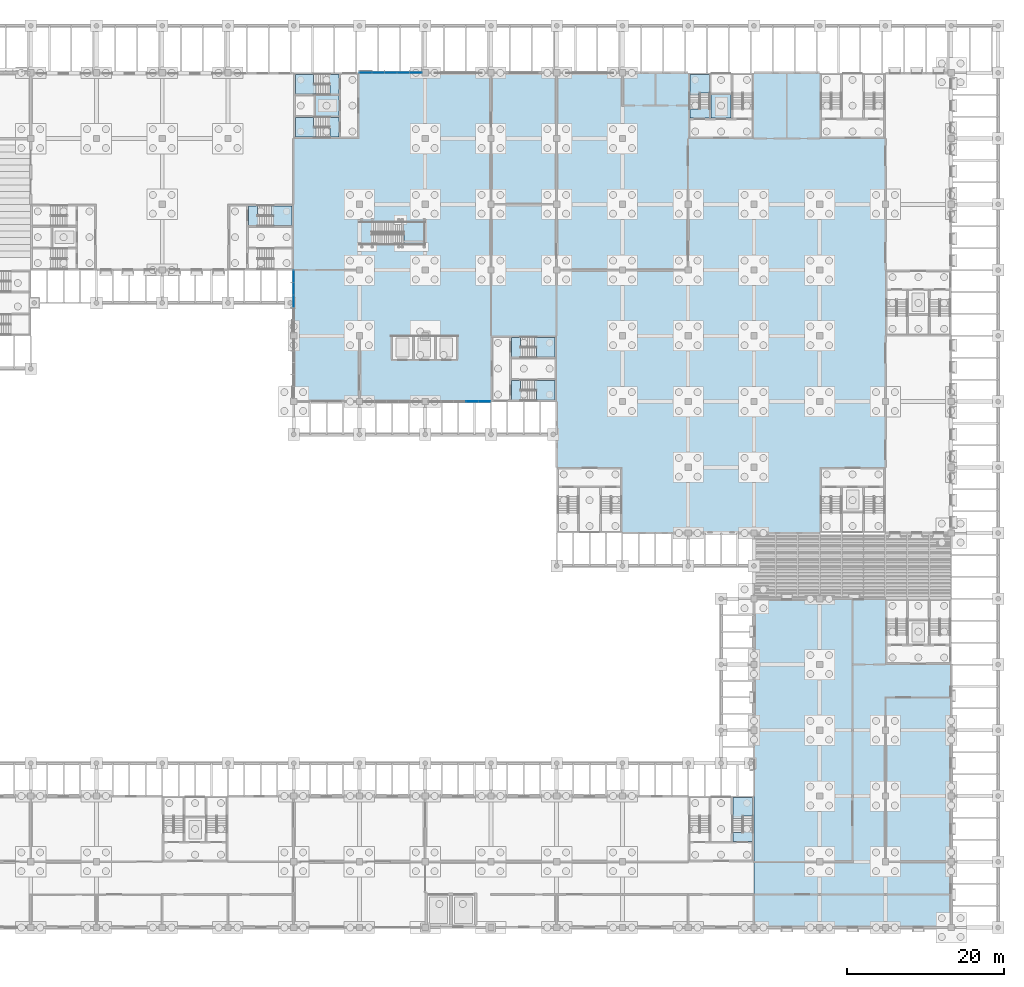
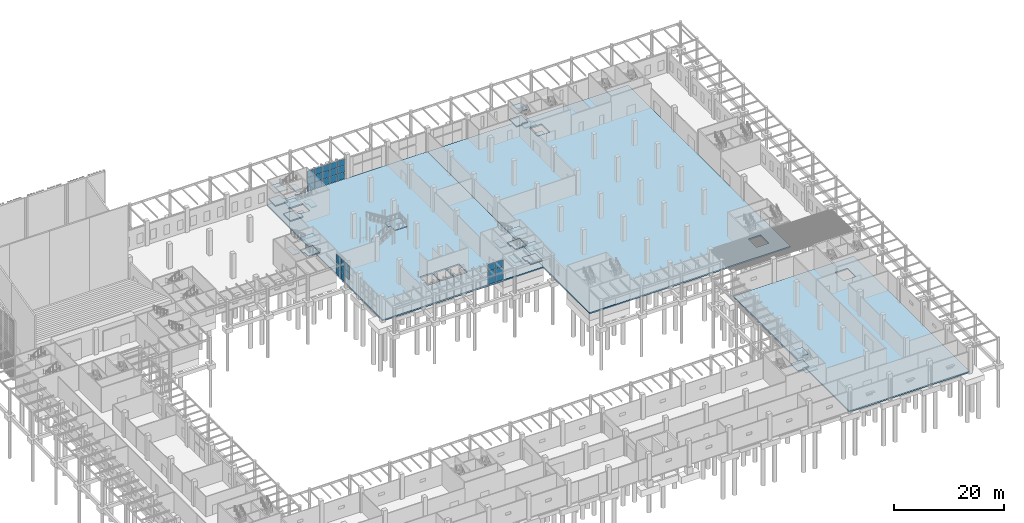
# One storey, part 23 of 82: 29 plates, 27 slabs, 11 elements without a shape of their own.
"""IFC4 building model written with IfcOpenShell, lengths in metres."""

import ifcopenshell
import ifcopenshell.guid

model = None  # the IFC model being written
_history = None  # IfcOwnerHistory: only IFC2X3 demands one
_inside = {}  # id of a spatial element -> (the spatial element, [elements in it])
_under = {}  # id of a project, library or spatial element -> (it, [spatial elements below it])
_declared = {}  # id of a project -> (the project, [libraries it declares])
_typed = {}  # id of a type object -> (the type object, [elements of that type])
_made_of = {}  # id of a material, layer set ... -> (it, [elements and type objects made of it])


def new_model(schema):
    """Start an empty IFC model of exactly this schema.

    Asked for "IFC4X3", IfcOpenShell would pick the latest addendum, in which some entities
    have other attributes; the version numbers below select the first issue.
    IFC2X3 requires an IfcOwnerHistory on every rooted entity: one is made here for all.
    """
    global model, _history
    if schema == "IFC4X3":
        model = ifcopenshell.file(schema_version=(4, 3, 0, 0))
    else:
        model = ifcopenshell.file(schema=schema)
    _inside.clear()
    _under.clear()
    _declared.clear()
    _typed.clear()
    _made_of.clear()
    _history = None
    if model.schema == "IFC2X3":
        org = make("IfcOrganization", Name="unknown")
        user = make(
            "IfcPersonAndOrganization",
            ThePerson=make("IfcPerson", FamilyName="unknown"),
            TheOrganization=org,
        )
        app = make(
            "IfcApplication",
            ApplicationDeveloper=org,
            Version="unknown",
            ApplicationFullName="unknown",
            ApplicationIdentifier="unknown",
        )
        _history = make(
            "IfcOwnerHistory",
            OwningUser=user,
            OwningApplication=app,
            ChangeAction="ADDED",
            CreationDate=0,
        )
    return model


def make(cls, **values):
    """One entity of the class cls with the attributes given. An attribute that is None is left unset."""
    return model.create_entity(
        cls, **{name: value for name, value in values.items() if value is not None}
    )


def rooted(cls, **values):
    """An entity with a GlobalId (a new one), such as an element, a storey or a relation."""
    return make(cls, GlobalId=ifcopenshell.guid.new(), OwnerHistory=_history, **values)


def si_unit(unit_type, name, prefix=None):
    """IfcSIUnit, for example si_unit("LENGTHUNIT", "METRE", prefix="MILLI")."""
    return make("IfcSIUnit", UnitType=unit_type, Prefix=prefix, Name=name)


def assignment(units):
    """IfcUnitAssignment: the units of a project."""
    return None if units is None else make("IfcUnitAssignment", Units=units)


def point(xyz):
    """IfcCartesianPoint."""
    return None if xyz is None else make("IfcCartesianPoint", Coordinates=xyz)


def direction(xyz):
    """IfcDirection."""
    return None if xyz is None else make("IfcDirection", DirectionRatios=xyz)


def frame(location, z_axis=None, x_axis=None):
    """IfcAxis2Placement3D, a coordinate frame: its origin and axes. An axis left out is left unset."""
    return make(
        "IfcAxis2Placement3D",
        Location=point(location),
        Axis=direction(z_axis),
        RefDirection=direction(x_axis),
    )


def frame_2d(location, x_axis=None):
    """IfcAxis2Placement2D, a coordinate frame in the plane: its origin and x axis."""
    return make(
        "IfcAxis2Placement2D", Location=point(location), RefDirection=direction(x_axis)
    )


def origin():
    """The frame at (0, 0, 0) with its axes left unset."""
    return frame((0.0, 0.0, 0.0))


def origin_2d():
    """The frame at (0, 0) in the plane with its x axis left unset."""
    return frame_2d((0.0, 0.0))


def place(relative_to, where):
    """IfcLocalPlacement: puts the frame where relative to a parent placement (None: the world)."""
    return make(
        "IfcLocalPlacement", PlacementRelTo=relative_to, RelativePlacement=where
    )


def context(
    kind, dimensions, precision=None, world=None, true_north=None, identifier=None
):
    """IfcGeometricRepresentationContext, for example the 3D "Model" context."""
    return make(
        "IfcGeometricRepresentationContext",
        ContextIdentifier=identifier,
        ContextType=kind,
        CoordinateSpaceDimension=dimensions,
        Precision=precision,
        WorldCoordinateSystem=world,
        TrueNorth=true_north,
    )


def subcontext(parent, identifier, kind, view, scale=None):
    """IfcGeometricRepresentationSubContext, for example "Body" below "Model"."""
    return make(
        "IfcGeometricRepresentationSubContext",
        ContextIdentifier=identifier,
        ContextType=kind,
        ParentContext=parent,
        TargetScale=scale,
        TargetView=view,
    )


def project(units=None, contexts=None):
    """IfcProject with its units and contexts."""
    return rooted(
        "IfcProject",
        Name="project",
        RepresentationContexts=contexts,
        UnitsInContext=assignment(units),
    )


def spatial(cls, under=None, at=None, **own):
    """A site, building, storey or space (cls), placed at a placement, below another one or the project."""
    s = rooted(cls, ObjectPlacement=at, **own)
    if under is not None:
        _under.setdefault(under.id(), (under, []))[1].append(s)
    return s


def polyline(points):
    """IfcPolyline through the points."""
    return make("IfcPolyline", Points=[point(p) for p in points])


def profile(cls, at=None, kind="AREA", **sizes):
    """A parametric profile (cls). Its sizes go by their IFC names, for example OverallWidth=200.0."""
    return make(cls, ProfileType=kind, Position=at, **sizes)


def rectangle(**sizes):
    """IfcRectangleProfileDef."""
    return profile("IfcRectangleProfileDef", **sizes)


def outline(outer, holes=None, kind="AREA"):
    """IfcArbitraryClosedProfileDef: a profile drawn as a closed curve; with holes, ...WithVoids."""
    if holes is None:
        return make("IfcArbitraryClosedProfileDef", ProfileType=kind, OuterCurve=outer)
    return make(
        "IfcArbitraryProfileDefWithVoids",
        ProfileType=kind,
        OuterCurve=outer,
        InnerCurves=holes,
    )


def extrude(swept, where, along, depth):
    """IfcExtrudedAreaSolid: the profile swept, set in the frame where, extruded along a direction by depth."""
    return make(
        "IfcExtrudedAreaSolid",
        SweptArea=swept,
        Position=where,
        ExtrudedDirection=direction(along),
        Depth=depth,
    )


def shape(context_of_items, identifier, shape_type, items):
    """IfcShapeRepresentation: the items that make up one representation, for example the "Body"."""
    return make(
        "IfcShapeRepresentation",
        ContextOfItems=context_of_items,
        RepresentationIdentifier=identifier,
        RepresentationType=shape_type,
        Items=items,
    )


def material(Name=None, Category=None):
    """IfcMaterial."""
    return make("IfcMaterial", Name=Name, Category=Category)


def layer(
    of_material, thickness, ventilated=None, Name=None, Category=None, Priority=None
):
    """IfcMaterialLayer: one layer of a wall or slab, of a material (None: an air gap)."""
    return make(
        "IfcMaterialLayer",
        Material=of_material,
        LayerThickness=thickness,
        IsVentilated=ventilated,
        Name=Name,
        Category=Category,
        Priority=Priority,
    )


def layer_set(layers, Name=None):
    """IfcMaterialLayerSet."""
    return make("IfcMaterialLayerSet", MaterialLayers=layers, LayerSetName=Name)


def made_of(thing, what):
    """Note that an element or type object is made of a material, layer set ...; save() writes the relation."""
    if what is not None:
        _made_of.setdefault(what.id(), (what, []))[1].append(thing)
    return thing


def type_object(cls, material=None, **own):
    """A type object (cls), such as IfcWallType, which elements share."""
    return made_of(rooted(cls, **own), material)


def element(
    cls,
    number,
    at=None,
    inside=None,
    cuts=None,
    type_object=None,
    material=None,
    context=None,
    identifier="Body",
    shape_type=None,
    held_by="IfcProductDefinitionShape",
    body=None,
    shapes=None,
    **own,
):
    """One element of the class cls, such as IfcWall. Its Tag is "e" and its number.

    at: its placement. inside: the storey or other place that contains it. cuts: it is an
    opening in that element (IfcRelVoidsElement). A single representation is given by context,
    identifier, shape_type and body (its items); several are given by shapes. held_by: the class
    of the entity that holds the representations. save() writes the other relations.
    """
    e = rooted(cls, Tag="e%d" % number, ObjectPlacement=at, **own)
    if body is not None:
        shapes = [shape(context, identifier, shape_type, body)]
    if shapes is not None:
        e.Representation = make(held_by, Representations=shapes)
    if inside is not None:
        _inside.setdefault(inside.id(), (inside, []))[1].append(e)
    if cuts is not None:
        rooted(
            "IfcRelVoidsElement", RelatingBuildingElement=cuts, RelatedOpeningElement=e
        )
    if type_object is not None:
        _typed.setdefault(type_object.id(), (type_object, []))[1].append(e)
    return made_of(e, material)


def aggregate(whole, parts):
    """IfcRelAggregates: a whole, such as a stair, and the parts it consists of."""
    return rooted("IfcRelAggregates", RelatingObject=whole, RelatedObjects=parts)


def save(model, path):
    """Write the relations noted so far, then the file.

    IfcRelAggregates (storeys below a building ...), IfcRelContainedInSpatialStructure (elements
    in a storey), IfcRelDefinesByType, IfcRelAssociatesMaterial and IfcRelDeclares: one each for
    every whole, place, type object, material and project.
    """
    for whole, parts in _under.values():
        aggregate(whole, parts)
    for where, things in _inside.values():
        rooted(
            "IfcRelContainedInSpatialStructure",
            RelatedElements=things,
            RelatingStructure=where,
        )
    for kind, things in _typed.values():
        rooted("IfcRelDefinesByType", RelatedObjects=things, RelatingType=kind)
    for what, things in _made_of.values():
        rooted("IfcRelAssociatesMaterial", RelatedObjects=things, RelatingMaterial=what)
    for by, libraries in _declared.values():
        rooted("IfcRelDeclares", RelatingContext=by, RelatedDefinitions=libraries)
    model.write(path)


model = new_model("IFC4")

# Units and contexts
model_context = context("Model", 3, precision=1e-05, world=origin(), true_north=direction((0.0, 1.0)))
body_context = subcontext(model_context, "Body", "Model", "MODEL_VIEW")
ifc_project = project(units=[si_unit("LENGTHUNIT", "METRE"), si_unit("AREAUNIT", "SQUARE_METRE"), si_unit("VOLUMEUNIT", "CUBIC_METRE"), si_unit("PLANEANGLEUNIT", "RADIAN"), si_unit("MASSUNIT", "GRAM", prefix="KILO")], contexts=[model_context])

# Site, building, storey
site_placement = place(None, origin())
site = spatial("IfcSite", under=ifc_project, at=site_placement, CompositionType="ELEMENT")
building_placement = place(site_placement, origin())
building = spatial("IfcBuilding", under=site, at=building_placement, Name="Almond Square Museum", CompositionType="ELEMENT")
storey_placement = place(building_placement, origin())
storey = spatial("IfcBuildingStorey", under=building, at=storey_placement, Name="L00", CompositionType="ELEMENT", Elevation=0.0)

# Stair, slabs
ifc_material_1 = material(Name="Concrete C40/50", Category="concrete")
stair_type_1 = type_object("IfcStairType", Name="Exit stair 32 risers of 172 mm", PredefinedType="HALF_TURN_STAIR", material=ifc_material_1)
stair_1_placement = place(storey_placement, origin())
stair_1 = element("IfcStair", 1, at=stair_1_placement, inside=storey, type_object=stair_type_1, Name="L00 stair H4-1", PredefinedType="HALF_TURN_STAIR")
ifc_material_2 = material(Name="Concrete C40/50", Category="concrete")
ifc_layer_1 = layer(ifc_material_2, 0.199951171875)
ifc_layer_set_1 = layer_set([ifc_layer_1], Name="Concrete C40/50")
slab_type_1 = type_object("IfcSlabType", Name="Concrete stair landing 200", PredefinedType="LANDING", material=ifc_layer_set_1)
slab_1_placement = place(storey_placement, frame((0.0, 0.0, 1.175048828125)))
slab_1 = element("IfcSlab", 2, at=slab_1_placement, type_object=slab_type_1, Name="ST-07 landing 1", PredefinedType="LANDING", context=body_context, shape_type="SweptSolid", body=[
    extrude(outline(polyline([(126.300048828125, 106.64697265625), (126.300048828125, 109.0), (123.800048828125, 109.0), (123.800048828125, 106.35009765625), (124.949951171875, 106.35009765625), (124.949951171875, 106.64697265625), (126.300048828125, 106.64697265625)])), origin(), (0.0, 0.0, 1.0), 0.199951171875),
])
slab_2_placement = place(storey_placement, frame((0.0, 0.0, 2.550048828125)))
slab_2 = element("IfcSlab", 3, at=slab_2_placement, type_object=slab_type_1, Name="ST-07 landing 2", PredefinedType="LANDING", context=body_context, shape_type="SweptSolid", body=[
    extrude(outline(polyline([(126.300048828125, 103.39990234375), (126.300048828125, 104.550048828125), (126.300048828125, 104.85009765625), (125.14990234375, 104.85009765625), (125.14990234375, 104.552978515625), (123.800048828125, 104.552978515625), (123.800048828125, 103.39990234375), (126.300048828125, 103.39990234375)])), origin(), (0.0, 0.0, 1.0), 0.199951171875),
])
slab_3_placement = place(storey_placement, frame((0.0, 0.0, 3.925048828125)))
slab_3 = element("IfcSlab", 4, at=slab_3_placement, type_object=slab_type_1, Name="ST-07 landing 3", PredefinedType="LANDING", context=body_context, shape_type="SweptSolid", body=[
    extrude(outline(polyline([(126.300048828125, 106.64697265625), (126.300048828125, 109.0), (123.800048828125, 109.0), (123.800048828125, 106.35009765625), (124.949951171875, 106.35009765625), (124.949951171875, 106.64697265625), (126.300048828125, 106.64697265625)])), origin(), (0.0, 0.0, 1.0), 0.199951171875),
])
aggregate(stair_1, [slab_1, slab_2, slab_3])

stair_2_placement = place(storey_placement, origin())
stair_2 = element("IfcStair", 5, at=stair_2_placement, inside=storey, type_object=stair_type_1, Name="L00 stair A1-1", PredefinedType="HALF_TURN_STAIR")
slab_4_placement = place(storey_placement, frame((0.0, 0.0, 1.175048828125)))
slab_4 = element("IfcSlab", 6, at=slab_4_placement, type_object=slab_type_1, Name="ST-09 landing 1", PredefinedType="LANDING", context=body_context, shape_type="SweptSolid", body=[
    extrude(outline(polyline([(75.7529296875, 103.5), (73.39990234375, 103.5), (73.39990234375, 101.0), (76.050048828125, 101.0), (76.050048828125, 102.14990234375), (75.7529296875, 102.14990234375), (75.7529296875, 103.5)])), origin(), (0.0, 0.0, 1.0), 0.199951171875),
])
slab_5_placement = place(storey_placement, frame((0.0, 0.0, 2.550048828125)))
slab_5 = element("IfcSlab", 7, at=slab_5_placement, type_object=slab_type_1, Name="ST-09 landing 2", PredefinedType="LANDING", context=body_context, shape_type="SweptSolid", body=[
    extrude(outline(polyline([(79.0, 103.5), (77.85009765625, 103.5), (77.550048828125, 103.5), (77.550048828125, 102.35009765625), (77.846923828125, 102.35009765625), (77.846923828125, 101.0), (79.0, 101.0), (79.0, 103.5)])), origin(), (0.0, 0.0, 1.0), 0.199951171875),
])
slab_6_placement = place(storey_placement, frame((0.0, 0.0, 3.925048828125)))
slab_6 = element("IfcSlab", 8, at=slab_6_placement, type_object=slab_type_1, Name="ST-09 landing 3", PredefinedType="LANDING", context=body_context, shape_type="SweptSolid", body=[
    extrude(outline(polyline([(75.7529296875, 103.5), (73.39990234375, 103.5), (73.39990234375, 101.0), (76.050048828125, 101.0), (76.050048828125, 102.14990234375), (75.7529296875, 102.14990234375), (75.7529296875, 103.5)])), origin(), (0.0, 0.0, 1.0), 0.199951171875),
])
aggregate(stair_2, [slab_4, slab_5, slab_6])

stair_3_placement = place(storey_placement, origin())
stair_3 = element("IfcStair", 9, at=stair_3_placement, inside=storey, type_object=stair_type_1, Name="L00 stair A1-2", PredefinedType="HALF_TURN_STAIR")
slab_7_placement = place(storey_placement, frame((0.0, 0.0, 1.175048828125)))
slab_7 = element("IfcSlab", 10, at=slab_7_placement, type_object=slab_type_1, Name="ST-10 landing 1", PredefinedType="LANDING", context=body_context, shape_type="SweptSolid", body=[
    extrude(outline(polyline([(75.7529296875, 109.0), (73.39990234375, 109.0), (73.39990234375, 106.5), (76.050048828125, 106.5), (76.050048828125, 107.64990234375), (75.7529296875, 107.64990234375), (75.7529296875, 109.0)])), origin(), (0.0, 0.0, 1.0), 0.199951171875),
])
slab_8_placement = place(storey_placement, frame((0.0, 0.0, 2.550048828125)))
slab_8 = element("IfcSlab", 11, at=slab_8_placement, type_object=slab_type_1, Name="ST-10 landing 2", PredefinedType="LANDING", context=body_context, shape_type="SweptSolid", body=[
    extrude(outline(polyline([(79.0, 109.0), (77.85009765625, 109.0), (77.550048828125, 109.0), (77.550048828125, 107.85009765625), (77.846923828125, 107.85009765625), (77.846923828125, 106.5), (79.0, 106.5), (79.0, 109.0)])), origin(), (0.0, 0.0, 1.0), 0.199951171875),
])
slab_9_placement = place(storey_placement, frame((0.0, 0.0, 3.925048828125)))
slab_9 = element("IfcSlab", 12, at=slab_9_placement, type_object=slab_type_1, Name="ST-10 landing 3", PredefinedType="LANDING", context=body_context, shape_type="SweptSolid", body=[
    extrude(outline(polyline([(75.7529296875, 109.0), (73.39990234375, 109.0), (73.39990234375, 106.5), (76.050048828125, 106.5), (76.050048828125, 107.64990234375), (75.7529296875, 107.64990234375), (75.7529296875, 109.0)])), origin(), (0.0, 0.0, 1.0), 0.199951171875),
])
aggregate(stair_3, [slab_7, slab_8, slab_9])

stair_4_placement = place(storey_placement, origin())
stair_4 = element("IfcStair", 13, at=stair_4_placement, inside=storey, type_object=stair_type_1, Name="L00 stair A2-1", PredefinedType="HALF_TURN_STAIR")
slab_10_placement = place(storey_placement, frame((0.0, 0.0, 1.175048828125)))
slab_10 = element("IfcSlab", 14, at=slab_10_placement, type_object=slab_type_1, Name="ST-11 landing 1", PredefinedType="LANDING", context=body_context, shape_type="SweptSolid", body=[
    extrude(outline(polyline([(104.2470703125, 67.39990234375), (106.60009765625, 67.39990234375), (106.60009765625, 69.89990234375), (103.949951171875, 69.89990234375), (103.949951171875, 68.75), (104.2470703125, 68.75), (104.2470703125, 67.39990234375)])), origin(), (0.0, 0.0, 1.0), 0.199951171875),
])
slab_11_placement = place(storey_placement, frame((0.0, 0.0, 2.550048828125)))
slab_11 = element("IfcSlab", 15, at=slab_11_placement, type_object=slab_type_1, Name="ST-11 landing 2", PredefinedType="LANDING", context=body_context, shape_type="SweptSolid", body=[
    extrude(outline(polyline([(101.0, 67.39990234375), (102.14990234375, 67.39990234375), (102.449951171875, 67.39990234375), (102.449951171875, 68.550048828125), (102.153076171875, 68.550048828125), (102.153076171875, 69.89990234375), (101.0, 69.89990234375), (101.0, 67.39990234375)])), origin(), (0.0, 0.0, 1.0), 0.199951171875),
])
slab_12_placement = place(storey_placement, frame((0.0, 0.0, 3.925048828125)))
slab_12 = element("IfcSlab", 16, at=slab_12_placement, type_object=slab_type_1, Name="ST-11 landing 3", PredefinedType="LANDING", context=body_context, shape_type="SweptSolid", body=[
    extrude(outline(polyline([(104.2470703125, 67.39990234375), (106.60009765625, 67.39990234375), (106.60009765625, 69.89990234375), (103.949951171875, 69.89990234375), (103.949951171875, 68.75), (104.2470703125, 68.75), (104.2470703125, 67.39990234375)])), origin(), (0.0, 0.0, 1.0), 0.199951171875),
])
aggregate(stair_4, [slab_10, slab_11, slab_12])

stair_5_placement = place(storey_placement, origin())
stair_5 = element("IfcStair", 17, at=stair_5_placement, inside=storey, type_object=stair_type_1, Name="L00 stair A2-2", PredefinedType="HALF_TURN_STAIR")
slab_13_placement = place(storey_placement, frame((0.0, 0.0, 1.175048828125)))
slab_13 = element("IfcSlab", 18, at=slab_13_placement, type_object=slab_type_1, Name="ST-12 landing 1", PredefinedType="LANDING", context=body_context, shape_type="SweptSolid", body=[
    extrude(outline(polyline([(104.2470703125, 72.89990234375), (106.60009765625, 72.89990234375), (106.60009765625, 75.39990234375), (103.949951171875, 75.39990234375), (103.949951171875, 74.25), (104.2470703125, 74.25), (104.2470703125, 72.89990234375)])), origin(), (0.0, 0.0, 1.0), 0.199951171875),
])
slab_14_placement = place(storey_placement, frame((0.0, 0.0, 2.550048828125)))
slab_14 = element("IfcSlab", 19, at=slab_14_placement, type_object=slab_type_1, Name="ST-12 landing 2", PredefinedType="LANDING", context=body_context, shape_type="SweptSolid", body=[
    extrude(outline(polyline([(101.0, 72.89990234375), (102.14990234375, 72.89990234375), (102.449951171875, 72.89990234375), (102.449951171875, 74.050048828125), (102.153076171875, 74.050048828125), (102.153076171875, 75.39990234375), (101.0, 75.39990234375), (101.0, 72.89990234375)])), origin(), (0.0, 0.0, 1.0), 0.199951171875),
])
slab_15_placement = place(storey_placement, frame((0.0, 0.0, 3.925048828125)))
slab_15 = element("IfcSlab", 20, at=slab_15_placement, type_object=slab_type_1, Name="ST-12 landing 3", PredefinedType="LANDING", context=body_context, shape_type="SweptSolid", body=[
    extrude(outline(polyline([(104.2470703125, 72.89990234375), (106.60009765625, 72.89990234375), (106.60009765625, 75.39990234375), (103.949951171875, 75.39990234375), (103.949951171875, 74.25), (104.2470703125, 74.25), (104.2470703125, 72.89990234375)])), origin(), (0.0, 0.0, 1.0), 0.199951171875),
])
aggregate(stair_5, [slab_13, slab_14, slab_15])

stair_6_placement = place(storey_placement, origin())
stair_6 = element("IfcStair", 21, at=stair_6_placement, inside=storey, type_object=stair_type_1, Name="L00 stair N2-2", PredefinedType="HALF_TURN_STAIR")
slab_16_placement = place(storey_placement, frame((0.0, 0.0, 1.175048828125)))
slab_16 = element("IfcSlab", 22, at=slab_16_placement, type_object=slab_type_1, Name="ST-20 landing 1", PredefinedType="LANDING", context=body_context, shape_type="SweptSolid", body=[
    extrude(outline(polyline([(70.64697265625, 89.699951171875), (73.0, 89.699951171875), (73.0, 92.199951171875), (70.35009765625, 92.199951171875), (70.35009765625, 91.050048828125), (70.64697265625, 91.050048828125), (70.64697265625, 89.699951171875)])), origin(), (0.0, 0.0, 1.0), 0.199951171875),
])
slab_17_placement = place(storey_placement, frame((0.0, 0.0, 2.550048828125)))
slab_17 = element("IfcSlab", 23, at=slab_17_placement, type_object=slab_type_1, Name="ST-20 landing 2", PredefinedType="LANDING", context=body_context, shape_type="SweptSolid", body=[
    extrude(outline(polyline([(67.39990234375, 89.699951171875), (68.550048828125, 89.699951171875), (68.85009765625, 89.699951171875), (68.85009765625, 90.85009765625), (68.552978515625, 90.85009765625), (68.552978515625, 92.199951171875), (67.39990234375, 92.199951171875), (67.39990234375, 89.699951171875)])), origin(), (0.0, 0.0, 1.0), 0.199951171875),
])
slab_18_placement = place(storey_placement, frame((0.0, 0.0, 3.925048828125)))
slab_18 = element("IfcSlab", 24, at=slab_18_placement, type_object=slab_type_1, Name="ST-20 landing 3", PredefinedType="LANDING", context=body_context, shape_type="SweptSolid", body=[
    extrude(outline(polyline([(70.64697265625, 89.699951171875), (73.0, 89.699951171875), (73.0, 92.199951171875), (70.35009765625, 92.199951171875), (70.35009765625, 91.050048828125), (70.64697265625, 91.050048828125), (70.64697265625, 89.699951171875)])), origin(), (0.0, 0.0, 1.0), 0.199951171875),
])
aggregate(stair_6, [slab_16, slab_17, slab_18])

stair_7_placement = place(storey_placement, origin())
stair_7 = element("IfcStair", 25, at=stair_7_placement, inside=storey, type_object=stair_type_1, Name="L00 stair S3-2", PredefinedType="HALF_TURN_STAIR")
slab_19_placement = place(storey_placement, frame((0.0, 0.0, 1.175048828125)))
slab_19 = element("IfcSlab", 26, at=slab_19_placement, type_object=slab_type_1, Name="ST-32 landing 1", PredefinedType="LANDING", context=body_context, shape_type="SweptSolid", body=[
    extrude(outline(polyline([(131.800048828125, 14.2470703125), (131.800048828125, 16.60009765625), (129.300048828125, 16.60009765625), (129.300048828125, 13.949951171875), (130.449951171875, 13.949951171875), (130.449951171875, 14.2470703125), (131.800048828125, 14.2470703125)])), origin(), (0.0, 0.0, 1.0), 0.199951171875),
])
slab_20_placement = place(storey_placement, frame((0.0, 0.0, 2.550048828125)))
slab_20 = element("IfcSlab", 27, at=slab_20_placement, type_object=slab_type_1, Name="ST-32 landing 2", PredefinedType="LANDING", context=body_context, shape_type="SweptSolid", body=[
    extrude(outline(polyline([(131.800048828125, 11.0), (131.800048828125, 12.14990234375), (131.800048828125, 12.449951171875), (130.64990234375, 12.449951171875), (130.64990234375, 12.153076171875), (129.300048828125, 12.153076171875), (129.300048828125, 11.0), (131.800048828125, 11.0)])), origin(), (0.0, 0.0, 1.0), 0.199951171875),
])
slab_21_placement = place(storey_placement, frame((0.0, 0.0, 3.925048828125)))
slab_21 = element("IfcSlab", 28, at=slab_21_placement, type_object=slab_type_1, Name="ST-32 landing 3", PredefinedType="LANDING", context=body_context, shape_type="SweptSolid", body=[
    extrude(outline(polyline([(131.800048828125, 14.2470703125), (131.800048828125, 16.60009765625), (129.300048828125, 16.60009765625), (129.300048828125, 13.949951171875), (130.449951171875, 13.949951171875), (130.449951171875, 14.2470703125), (131.800048828125, 14.2470703125)])), origin(), (0.0, 0.0, 1.0), 0.199951171875),
])
aggregate(stair_7, [slab_19, slab_20, slab_21])

# Stair, slab
ifc_material_3 = material(Name="Concrete C40/50", Category="concrete")
stair_type_2 = type_object("IfcStairType", Name="Feature stair 1400 open flights", PredefinedType="HALF_TURN_STAIR", material=ifc_material_3)
stair_8_placement = place(storey_placement, origin())
stair_8 = element("IfcStair", 29, at=stair_8_placement, inside=storey, type_object=stair_type_2, Name="L00 atrium feature stair", PredefinedType="HALF_TURN_STAIR")
ifc_material_4 = material(Name="Concrete C40/50", Category="concrete")
ifc_layer_2 = layer(ifc_material_4, 0.199951171875)
ifc_layer_set_2 = layer_set([ifc_layer_2], Name="Concrete C40/50")
slab_type_2 = type_object("IfcSlabType", Name="Feature stair landing 200", PredefinedType="LANDING", material=ifc_layer_set_2)
slab_22_placement = place(storey_placement, frame((0.0, 0.0, 2.550048828125)))
slab_22 = element("IfcSlab", 30, at=slab_22_placement, type_object=slab_type_2, Name="ST-F landing 1", PredefinedType="LANDING", context=body_context, shape_type="SweptSolid", body=[
    extrude(outline(polyline([(87.297119140625, 87.199951171875), (90.0, 87.199951171875), (90.0, 90.199951171875), (86.8349609375, 90.199951171875), (86.8349609375, 88.800048828125), (87.297119140625, 88.800048828125), (87.297119140625, 87.199951171875)])), origin(), (0.0, 0.0, 1.0), 0.199951171875),
])
aggregate(stair_8, [slab_22])

# Curtain wall, plates
ifc_material_5 = material(Name="Aluminium and laminated glass", Category="aluminium")
curtain_wall_type = type_object("IfcCurtainWallType", Name="Unitised curtain wall 1500 module", PredefinedType="NOTDEFINED", material=ifc_material_5)
curtain_wall_1_placement = place(storey_placement, origin())
curtain_wall_1 = element("IfcCurtainWall", 31, at=curtain_wall_1_placement, inside=storey, type_object=curtain_wall_type, Name="Curtain wall CW-01", PredefinedType="NOTDEFINED")
ifc_material_6 = material(Name="Laminated hurricane-rated glass", Category="glass")
ifc_layer_3 = layer(ifc_material_6, 0.035888671875)
ifc_layer_set_3 = layer_set([ifc_layer_3], Name="Laminated hurricane-rated glass")
plate_type = type_object("IfcPlateType", Name="Laminated glass panel 36", PredefinedType="CURTAIN_PANEL", material=ifc_layer_set_3)
plate_1_placement = place(storey_placement, frame((73.199951171875, 80.0, 1.54638671875), z_axis=(0.0, 0.0, 1.0), x_axis=(0.0, 1.0, 0.0)))
plate_1 = element("IfcPlate", 32, at=plate_1_placement, type_object=plate_type, Name="CW-01 panel 3.2", PredefinedType="CURTAIN_PANEL", context=body_context, shape_type="SweptSolid", body=[
    extrude(rectangle(XDim=1.5400390625, YDim=0.035888671875, at=origin_2d()), origin(), (0.0, 0.0, 1.0), 1.456787109375),
])
plate_2_placement = place(storey_placement, frame((73.199951171875, 80.0, 3.063232421875), z_axis=(0.0, 0.0, 1.0), x_axis=(0.0, 1.0, 0.0)))
plate_2 = element("IfcPlate", 33, at=plate_2_placement, type_object=plate_type, Name="CW-01 panel 3.3", PredefinedType="CURTAIN_PANEL", context=body_context, shape_type="SweptSolid", body=[
    extrude(rectangle(XDim=1.5400390625, YDim=0.035888671875, at=origin_2d()), origin(), (0.0, 0.0, 1.0), 1.4267578125),
])
plate_3_placement = place(storey_placement, frame((73.199951171875, 81.60009765625, 0.06005859375), z_axis=(0.0, 0.0, 1.0), x_axis=(0.0, 1.0, 0.0)))
plate_3 = element("IfcPlate", 34, at=plate_3_placement, type_object=plate_type, Name="CW-01 panel 4.1", PredefinedType="CURTAIN_PANEL", context=body_context, shape_type="SweptSolid", body=[
    extrude(rectangle(XDim=1.5400390625, YDim=0.035888671875, at=origin_2d()), origin(), (0.0, 0.0, 1.0), 1.4267578125),
])
plate_4_placement = place(storey_placement, frame((73.199951171875, 81.60009765625, 1.54638671875), z_axis=(0.0, 0.0, 1.0), x_axis=(0.0, 1.0, 0.0)))
plate_4 = element("IfcPlate", 35, at=plate_4_placement, type_object=plate_type, Name="CW-01 panel 4.2", PredefinedType="CURTAIN_PANEL", context=body_context, shape_type="SweptSolid", body=[
    extrude(rectangle(XDim=1.5400390625, YDim=0.035888671875, at=origin_2d()), origin(), (0.0, 0.0, 1.0), 1.456787109375),
])
plate_5_placement = place(storey_placement, frame((73.199951171875, 81.60009765625, 3.063232421875), z_axis=(0.0, 0.0, 1.0), x_axis=(0.0, 1.0, 0.0)))
plate_5 = element("IfcPlate", 36, at=plate_5_placement, type_object=plate_type, Name="CW-01 panel 4.3", PredefinedType="CURTAIN_PANEL", context=body_context, shape_type="SweptSolid", body=[
    extrude(rectangle(XDim=1.5400390625, YDim=0.035888671875, at=origin_2d()), origin(), (0.0, 0.0, 1.0), 1.4267578125),
])
plate_6_placement = place(storey_placement, frame((73.199951171875, 83.18505859375, 0.06005859375), z_axis=(0.0, 0.0, 1.0), x_axis=(0.0, 1.0, 0.0)))
plate_6 = element("IfcPlate", 37, at=plate_6_placement, type_object=plate_type, Name="CW-01 panel 5.1", PredefinedType="CURTAIN_PANEL", context=body_context, shape_type="SweptSolid", body=[
    extrude(rectangle(XDim=1.510009765625, YDim=0.035888671875, at=origin_2d()), origin(), (0.0, 0.0, 1.0), 1.4267578125),
])
plate_7_placement = place(storey_placement, frame((73.199951171875, 83.18505859375, 1.54638671875), z_axis=(0.0, 0.0, 1.0), x_axis=(0.0, 1.0, 0.0)))
plate_7 = element("IfcPlate", 38, at=plate_7_placement, type_object=plate_type, Name="CW-01 panel 5.2", PredefinedType="CURTAIN_PANEL", context=body_context, shape_type="SweptSolid", body=[
    extrude(rectangle(XDim=1.510009765625, YDim=0.035888671875, at=origin_2d()), origin(), (0.0, 0.0, 1.0), 1.456787109375),
])
plate_8_placement = place(storey_placement, frame((73.199951171875, 83.18505859375, 3.063232421875), z_axis=(0.0, 0.0, 1.0), x_axis=(0.0, 1.0, 0.0)))
plate_8 = element("IfcPlate", 39, at=plate_8_placement, type_object=plate_type, Name="CW-01 panel 5.3", PredefinedType="CURTAIN_PANEL", context=body_context, shape_type="SweptSolid", body=[
    extrude(rectangle(XDim=1.510009765625, YDim=0.035888671875, at=origin_2d()), origin(), (0.0, 0.0, 1.0), 1.4267578125),
])
aggregate(curtain_wall_1, [plate_1, plate_2, plate_3, plate_4, plate_5, plate_6, plate_7, plate_8])

curtain_wall_2_placement = place(storey_placement, origin())
curtain_wall_2 = element("IfcCurtainWall", 40, at=curtain_wall_2_placement, inside=storey, type_object=curtain_wall_type, Name="Curtain wall CW-04", PredefinedType="NOTDEFINED")
plate_9_placement = place(storey_placement, frame((96.0, 67.199951171875, 0.06005859375), z_axis=(0.0, 0.0, 1.0), x_axis=(1.0, 0.0, 0.0)))
plate_9 = element("IfcPlate", 41, at=plate_9_placement, type_object=plate_type, Name="CW-04 panel 4.1", PredefinedType="CURTAIN_PANEL", context=body_context, shape_type="SweptSolid", body=[
    extrude(rectangle(XDim=1.5400390625, YDim=0.035888671875, at=origin_2d()), origin(), (0.0, 0.0, 1.0), 1.4267578125),
])
plate_10_placement = place(storey_placement, frame((96.0, 67.199951171875, 1.54638671875), z_axis=(0.0, 0.0, 1.0), x_axis=(1.0, 0.0, 0.0)))
plate_10 = element("IfcPlate", 42, at=plate_10_placement, type_object=plate_type, Name="CW-04 panel 4.2", PredefinedType="CURTAIN_PANEL", context=body_context, shape_type="SweptSolid", body=[
    extrude(rectangle(XDim=1.5400390625, YDim=0.035888671875, at=origin_2d()), origin(), (0.0, 0.0, 1.0), 1.456787109375),
])
plate_11_placement = place(storey_placement, frame((96.0, 67.199951171875, 3.063232421875), z_axis=(0.0, 0.0, 1.0), x_axis=(1.0, 0.0, 0.0)))
plate_11 = element("IfcPlate", 43, at=plate_11_placement, type_object=plate_type, Name="CW-04 panel 4.3", PredefinedType="CURTAIN_PANEL", context=body_context, shape_type="SweptSolid", body=[
    extrude(rectangle(XDim=1.5400390625, YDim=0.035888671875, at=origin_2d()), origin(), (0.0, 0.0, 1.0), 1.4267578125),
])
plate_12_placement = place(storey_placement, frame((97.5849609375, 67.199951171875, 0.06005859375), z_axis=(0.0, 0.0, 1.0), x_axis=(1.0, 0.0, 0.0)))
plate_12 = element("IfcPlate", 44, at=plate_12_placement, type_object=plate_type, Name="CW-04 panel 5.1", PredefinedType="CURTAIN_PANEL", context=body_context, shape_type="SweptSolid", body=[
    extrude(rectangle(XDim=1.510009765625, YDim=0.035888671875, at=origin_2d()), origin(), (0.0, 0.0, 1.0), 1.4267578125),
])
plate_13_placement = place(storey_placement, frame((97.5849609375, 67.199951171875, 1.54638671875), z_axis=(0.0, 0.0, 1.0), x_axis=(1.0, 0.0, 0.0)))
plate_13 = element("IfcPlate", 45, at=plate_13_placement, type_object=plate_type, Name="CW-04 panel 5.2", PredefinedType="CURTAIN_PANEL", context=body_context, shape_type="SweptSolid", body=[
    extrude(rectangle(XDim=1.510009765625, YDim=0.035888671875, at=origin_2d()), origin(), (0.0, 0.0, 1.0), 1.456787109375),
])
plate_14_placement = place(storey_placement, frame((97.5849609375, 67.199951171875, 3.063232421875), z_axis=(0.0, 0.0, 1.0), x_axis=(1.0, 0.0, 0.0)))
plate_14 = element("IfcPlate", 46, at=plate_14_placement, type_object=plate_type, Name="CW-04 panel 5.3", PredefinedType="CURTAIN_PANEL", context=body_context, shape_type="SweptSolid", body=[
    extrude(rectangle(XDim=1.510009765625, YDim=0.035888671875, at=origin_2d()), origin(), (0.0, 0.0, 1.0), 1.4267578125),
])
aggregate(curtain_wall_2, [plate_9, plate_10, plate_11, plate_12, plate_13, plate_14])

curtain_wall_3_placement = place(storey_placement, origin())
curtain_wall_3 = element("IfcCurtainWall", 47, at=curtain_wall_3_placement, inside=storey, type_object=curtain_wall_type, Name="Curtain wall CW-05", PredefinedType="NOTDEFINED")
plate_15_placement = place(storey_placement, frame((82.4150390625, 109.199951171875, 0.06005859375), z_axis=(0.0, 0.0, 1.0), x_axis=(1.0, 0.0, 0.0)))
plate_15 = element("IfcPlate", 48, at=plate_15_placement, type_object=plate_type, Name="CW-05 panel 1.1", PredefinedType="CURTAIN_PANEL", context=body_context, shape_type="SweptSolid", body=[
    extrude(rectangle(XDim=1.510009765625, YDim=0.035888671875, at=origin_2d()), origin(), (0.0, 0.0, 1.0), 1.4267578125),
])
plate_16_placement = place(storey_placement, frame((82.4150390625, 109.199951171875, 1.54638671875), z_axis=(0.0, 0.0, 1.0), x_axis=(1.0, 0.0, 0.0)))
plate_16 = element("IfcPlate", 49, at=plate_16_placement, type_object=plate_type, Name="CW-05 panel 1.2", PredefinedType="CURTAIN_PANEL", context=body_context, shape_type="SweptSolid", body=[
    extrude(rectangle(XDim=1.510009765625, YDim=0.035888671875, at=origin_2d()), origin(), (0.0, 0.0, 1.0), 1.456787109375),
])
plate_17_placement = place(storey_placement, frame((82.4150390625, 109.199951171875, 3.063232421875), z_axis=(0.0, 0.0, 1.0), x_axis=(1.0, 0.0, 0.0)))
plate_17 = element("IfcPlate", 50, at=plate_17_placement, type_object=plate_type, Name="CW-05 panel 1.3", PredefinedType="CURTAIN_PANEL", context=body_context, shape_type="SweptSolid", body=[
    extrude(rectangle(XDim=1.510009765625, YDim=0.035888671875, at=origin_2d()), origin(), (0.0, 0.0, 1.0), 1.4267578125),
])
plate_18_placement = place(storey_placement, frame((84.0, 109.199951171875, 0.06005859375), z_axis=(0.0, 0.0, 1.0), x_axis=(1.0, 0.0, 0.0)))
plate_18 = element("IfcPlate", 51, at=plate_18_placement, type_object=plate_type, Name="CW-05 panel 2.1", PredefinedType="CURTAIN_PANEL", context=body_context, shape_type="SweptSolid", body=[
    extrude(rectangle(XDim=1.5400390625, YDim=0.035888671875, at=origin_2d()), origin(), (0.0, 0.0, 1.0), 1.4267578125),
])
plate_19_placement = place(storey_placement, frame((84.0, 109.199951171875, 1.54638671875), z_axis=(0.0, 0.0, 1.0), x_axis=(1.0, 0.0, 0.0)))
plate_19 = element("IfcPlate", 52, at=plate_19_placement, type_object=plate_type, Name="CW-05 panel 2.2", PredefinedType="CURTAIN_PANEL", context=body_context, shape_type="SweptSolid", body=[
    extrude(rectangle(XDim=1.5400390625, YDim=0.035888671875, at=origin_2d()), origin(), (0.0, 0.0, 1.0), 1.456787109375),
])
plate_20_placement = place(storey_placement, frame((84.0, 109.199951171875, 3.063232421875), z_axis=(0.0, 0.0, 1.0), x_axis=(1.0, 0.0, 0.0)))
plate_20 = element("IfcPlate", 53, at=plate_20_placement, type_object=plate_type, Name="CW-05 panel 2.3", PredefinedType="CURTAIN_PANEL", context=body_context, shape_type="SweptSolid", body=[
    extrude(rectangle(XDim=1.5400390625, YDim=0.035888671875, at=origin_2d()), origin(), (0.0, 0.0, 1.0), 1.4267578125),
])
plate_21_placement = place(storey_placement, frame((85.60009765625, 109.199951171875, 0.06005859375), z_axis=(0.0, 0.0, 1.0), x_axis=(1.0, 0.0, 0.0)))
plate_21 = element("IfcPlate", 54, at=plate_21_placement, type_object=plate_type, Name="CW-05 panel 3.1", PredefinedType="CURTAIN_PANEL", context=body_context, shape_type="SweptSolid", body=[
    extrude(rectangle(XDim=1.5400390625, YDim=0.035888671875, at=origin_2d()), origin(), (0.0, 0.0, 1.0), 1.4267578125),
])
plate_22_placement = place(storey_placement, frame((85.60009765625, 109.199951171875, 1.54638671875), z_axis=(0.0, 0.0, 1.0), x_axis=(1.0, 0.0, 0.0)))
plate_22 = element("IfcPlate", 55, at=plate_22_placement, type_object=plate_type, Name="CW-05 panel 3.2", PredefinedType="CURTAIN_PANEL", context=body_context, shape_type="SweptSolid", body=[
    extrude(rectangle(XDim=1.5400390625, YDim=0.035888671875, at=origin_2d()), origin(), (0.0, 0.0, 1.0), 1.456787109375),
])
plate_23_placement = place(storey_placement, frame((85.60009765625, 109.199951171875, 3.063232421875), z_axis=(0.0, 0.0, 1.0), x_axis=(1.0, 0.0, 0.0)))
plate_23 = element("IfcPlate", 56, at=plate_23_placement, type_object=plate_type, Name="CW-05 panel 3.3", PredefinedType="CURTAIN_PANEL", context=body_context, shape_type="SweptSolid", body=[
    extrude(rectangle(XDim=1.5400390625, YDim=0.035888671875, at=origin_2d()), origin(), (0.0, 0.0, 1.0), 1.4267578125),
])
plate_24_placement = place(storey_placement, frame((87.199951171875, 109.199951171875, 0.06005859375), z_axis=(0.0, 0.0, 1.0), x_axis=(1.0, 0.0, 0.0)))
plate_24 = element("IfcPlate", 57, at=plate_24_placement, type_object=plate_type, Name="CW-05 panel 4.1", PredefinedType="CURTAIN_PANEL", context=body_context, shape_type="SweptSolid", body=[
    extrude(rectangle(XDim=1.5400390625, YDim=0.035888671875, at=origin_2d()), origin(), (0.0, 0.0, 1.0), 1.4267578125),
])
plate_25_placement = place(storey_placement, frame((87.199951171875, 109.199951171875, 1.54638671875), z_axis=(0.0, 0.0, 1.0), x_axis=(1.0, 0.0, 0.0)))
plate_25 = element("IfcPlate", 58, at=plate_25_placement, type_object=plate_type, Name="CW-05 panel 4.2", PredefinedType="CURTAIN_PANEL", context=body_context, shape_type="SweptSolid", body=[
    extrude(rectangle(XDim=1.5400390625, YDim=0.035888671875, at=origin_2d()), origin(), (0.0, 0.0, 1.0), 1.456787109375),
])
plate_26_placement = place(storey_placement, frame((87.199951171875, 109.199951171875, 3.063232421875), z_axis=(0.0, 0.0, 1.0), x_axis=(1.0, 0.0, 0.0)))
plate_26 = element("IfcPlate", 59, at=plate_26_placement, type_object=plate_type, Name="CW-05 panel 4.3", PredefinedType="CURTAIN_PANEL", context=body_context, shape_type="SweptSolid", body=[
    extrude(rectangle(XDim=1.5400390625, YDim=0.035888671875, at=origin_2d()), origin(), (0.0, 0.0, 1.0), 1.4267578125),
])
plate_27_placement = place(storey_placement, frame((88.784912109375, 109.199951171875, 0.06005859375), z_axis=(0.0, 0.0, 1.0), x_axis=(1.0, 0.0, 0.0)))
plate_27 = element("IfcPlate", 60, at=plate_27_placement, type_object=plate_type, Name="CW-05 panel 5.1", PredefinedType="CURTAIN_PANEL", context=body_context, shape_type="SweptSolid", body=[
    extrude(rectangle(XDim=1.510009765625, YDim=0.035888671875, at=origin_2d()), origin(), (0.0, 0.0, 1.0), 1.4267578125),
])
plate_28_placement = place(storey_placement, frame((88.784912109375, 109.199951171875, 1.54638671875), z_axis=(0.0, 0.0, 1.0), x_axis=(1.0, 0.0, 0.0)))
plate_28 = element("IfcPlate", 61, at=plate_28_placement, type_object=plate_type, Name="CW-05 panel 5.2", PredefinedType="CURTAIN_PANEL", context=body_context, shape_type="SweptSolid", body=[
    extrude(rectangle(XDim=1.510009765625, YDim=0.035888671875, at=origin_2d()), origin(), (0.0, 0.0, 1.0), 1.456787109375),
])
plate_29_placement = place(storey_placement, frame((88.784912109375, 109.199951171875, 3.063232421875), z_axis=(0.0, 0.0, 1.0), x_axis=(1.0, 0.0, 0.0)))
plate_29 = element("IfcPlate", 62, at=plate_29_placement, type_object=plate_type, Name="CW-05 panel 5.3", PredefinedType="CURTAIN_PANEL", context=body_context, shape_type="SweptSolid", body=[
    extrude(rectangle(XDim=1.510009765625, YDim=0.035888671875, at=origin_2d()), origin(), (0.0, 0.0, 1.0), 1.4267578125),
])
aggregate(curtain_wall_3, [plate_15, plate_16, plate_17, plate_18, plate_19, plate_20, plate_21, plate_22, plate_23, plate_24, plate_25, plate_26, plate_27, plate_28, plate_29])

# Slabs
ifc_material_7 = material(Name="Concrete C35/45", Category="concrete")
ifc_layer_4 = layer(ifc_material_7, 0.300048828125)
ifc_layer_set_4 = layer_set([ifc_layer_4], Name="Concrete C35/45")
slab_type_3 = type_object("IfcSlabType", Name="RC ground slab 300 C35/45", PredefinedType="BASESLAB", material=ifc_layer_set_4)
slab_23_placement = place(storey_placement, frame((0.0, 0.0, -0.300048828125)))
element("IfcSlab", 63, at=slab_23_placement, inside=storey, type_object=slab_type_3, Name="Ground slab V1", PredefinedType="BASESLAB", context=body_context, shape_type="SweptSolid", body=[
    extrude(outline(polyline([(106.800048828125, 109.199951171875), (148.800048828125, 109.199951171875), (148.800048828125, 50.39990234375), (106.800048828125, 50.39990234375), (106.800048828125, 67.199951171875), (106.800048828125, 109.199951171875)]), holes=[polyline([(145.89990234375, 56.199951171875), (143.300048828125, 56.199951171875), (143.300048828125, 53.199951171875), (145.89990234375, 53.199951171875), (145.89990234375, 56.199951171875)]), polyline([(129.10009765625, 106.39990234375), (126.5, 106.39990234375), (126.5, 103.39990234375), (129.10009765625, 103.39990234375), (129.10009765625, 106.39990234375)])]), origin(), (0.0, 0.0, 1.0), 0.300048828125),
])
slab_24_placement = place(storey_placement, frame((0.0, 0.0, -0.300048828125)))
element("IfcSlab", 64, at=slab_24_placement, inside=storey, type_object=slab_type_3, Name="Ground slab V2", PredefinedType="BASESLAB", context=body_context, shape_type="SweptSolid", body=[
    extrude(outline(polyline([(73.199951171875, 109.199951171875), (106.800048828125, 109.199951171875), (106.800048828125, 67.199951171875), (73.199951171875, 67.199951171875), (73.199951171875, 84.0), (73.199951171875, 109.199951171875)]), holes=[polyline([(88.39990234375, 75.60009765625), (85.800048828125, 75.60009765625), (85.800048828125, 72.60009765625), (88.39990234375, 72.60009765625), (88.39990234375, 75.60009765625)]), polyline([(91.199951171875, 75.60009765625), (88.60009765625, 75.60009765625), (88.60009765625, 72.60009765625), (91.199951171875, 72.60009765625), (91.199951171875, 75.60009765625)]), polyline([(79.0, 106.300048828125), (76.0, 106.300048828125), (76.0, 103.699951171875), (79.0, 103.699951171875), (79.0, 106.300048828125)]), polyline([(94.0, 75.60009765625), (91.39990234375, 75.60009765625), (91.39990234375, 72.60009765625), (94.0, 72.60009765625), (94.0, 75.60009765625)])]), origin(), (0.0, 0.0, 1.0), 0.300048828125),
])
slab_25_placement = place(storey_placement, frame((0.0, 0.0, -0.300048828125)))
element("IfcSlab", 65, at=slab_25_placement, inside=storey, type_object=slab_type_3, Name="Ground slab V5E", PredefinedType="BASESLAB", context=body_context, shape_type="SweptSolid", body=[
    extrude(outline(polyline([(132.0, 0.0), (132.0, 16.800048828125), (132.0, 42.0), (157.199951171875, 42.0), (157.199951171875, 0.0), (132.0, 0.0)]), holes=[polyline([(154.300048828125, 39.199951171875), (151.699951171875, 39.199951171875), (151.699951171875, 36.199951171875), (154.300048828125, 36.199951171875), (154.300048828125, 39.199951171875)])]), origin(), (0.0, 0.0, 1.0), 0.300048828125),
])
ifc_material_8 = material(Name="Concrete C35/45", Category="concrete")
ifc_layer_5 = layer(ifc_material_8, 0.300048828125)
ifc_layer_set_5 = layer_set([ifc_layer_5], Name="Concrete C35/45")
slab_type_4 = type_object("IfcSlabType", Name="RC lift pit slab 300 C35/45", PredefinedType="BASESLAB", material=ifc_layer_set_5)
slab_26_placement = place(storey_placement, frame((0.0, 0.0, -1.800048828125)))
element("IfcSlab", 66, at=slab_26_placement, inside=storey, type_object=slab_type_4, Name="Lift pit floor PL-A1", PredefinedType="BASESLAB", context=body_context, shape_type="SweptSolid", body=[
    extrude(outline(polyline([(76.0, 103.699951171875), (79.0, 103.699951171875), (79.0, 106.300048828125), (76.0, 106.300048828125), (76.0, 103.699951171875)])), origin(), (0.0, 0.0, 1.0), 0.300048828125),
])
slab_27_placement = place(storey_placement, frame((0.0, 0.0, -1.800048828125)))
element("IfcSlab", 67, at=slab_27_placement, inside=storey, type_object=slab_type_4, Name="Lift pit floor PL-H4", PredefinedType="BASESLAB", context=body_context, shape_type="SweptSolid", body=[
    extrude(outline(polyline([(126.5, 103.39990234375), (129.10009765625, 103.39990234375), (129.10009765625, 106.39990234375), (126.5, 106.39990234375), (126.5, 103.39990234375)])), origin(), (0.0, 0.0, 1.0), 0.300048828125),
])

save(model, "model.ifc")
